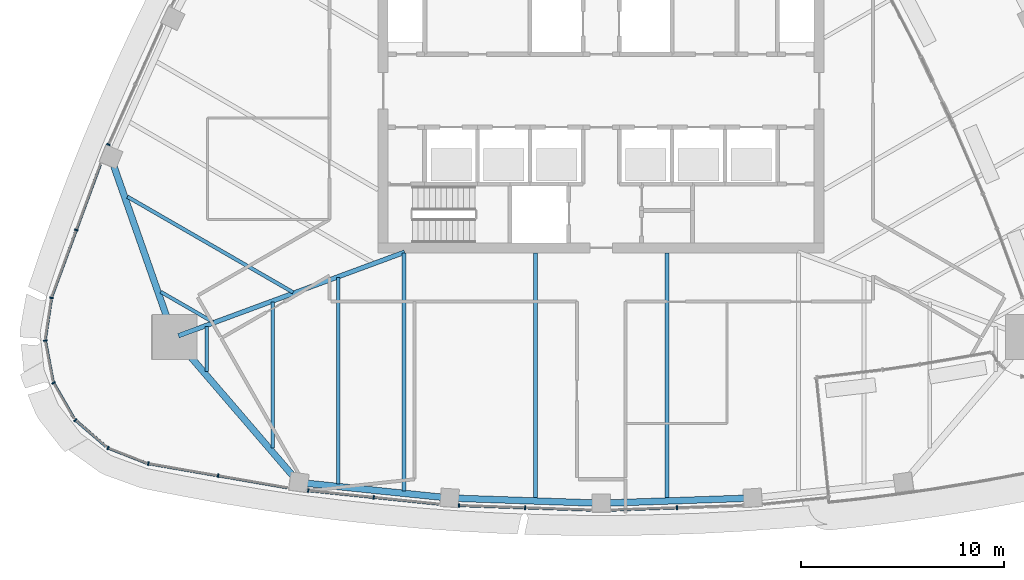
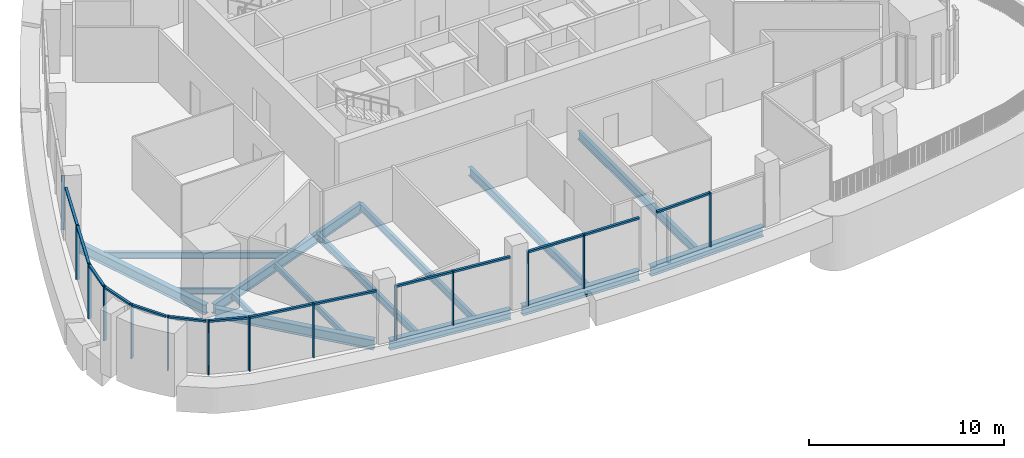
# One storey, part 2 of 20: 28 members, 14 beams, 11 elements without a shape of their own.
"""IFC4 building model written with IfcOpenShell, lengths in metres."""

import ifcopenshell
import ifcopenshell.guid

model = None  # the IFC model being written
_history = None  # IfcOwnerHistory: only IFC2X3 demands one
_inside = {}  # id of a spatial element -> (the spatial element, [elements in it])
_under = {}  # id of a project, library or spatial element -> (it, [spatial elements below it])
_declared = {}  # id of a project -> (the project, [libraries it declares])
_typed = {}  # id of a type object -> (the type object, [elements of that type])
_made_of = {}  # id of a material, layer set ... -> (it, [elements and type objects made of it])


def new_model(schema):
    """Start an empty IFC model of exactly this schema.

    Asked for "IFC4X3", IfcOpenShell would pick the latest addendum, in which some entities
    have other attributes; the version numbers below select the first issue.
    IFC2X3 requires an IfcOwnerHistory on every rooted entity: one is made here for all.
    """
    global model, _history
    if schema == "IFC4X3":
        model = ifcopenshell.file(schema_version=(4, 3, 0, 0))
    else:
        model = ifcopenshell.file(schema=schema)
    _inside.clear()
    _under.clear()
    _declared.clear()
    _typed.clear()
    _made_of.clear()
    _history = None
    if model.schema == "IFC2X3":
        org = make("IfcOrganization", Name="unknown")
        user = make(
            "IfcPersonAndOrganization",
            ThePerson=make("IfcPerson", FamilyName="unknown"),
            TheOrganization=org,
        )
        app = make(
            "IfcApplication",
            ApplicationDeveloper=org,
            Version="unknown",
            ApplicationFullName="unknown",
            ApplicationIdentifier="unknown",
        )
        _history = make(
            "IfcOwnerHistory",
            OwningUser=user,
            OwningApplication=app,
            ChangeAction="ADDED",
            CreationDate=0,
        )
    return model


def make(cls, **values):
    """One entity of the class cls with the attributes given. An attribute that is None is left unset."""
    return model.create_entity(
        cls, **{name: value for name, value in values.items() if value is not None}
    )


def rooted(cls, **values):
    """An entity with a GlobalId (a new one), such as an element, a storey or a relation."""
    return make(cls, GlobalId=ifcopenshell.guid.new(), OwnerHistory=_history, **values)


def si_unit(unit_type, name, prefix=None):
    """IfcSIUnit, for example si_unit("LENGTHUNIT", "METRE", prefix="MILLI")."""
    return make("IfcSIUnit", UnitType=unit_type, Prefix=prefix, Name=name)


def assignment(units):
    """IfcUnitAssignment: the units of a project."""
    return None if units is None else make("IfcUnitAssignment", Units=units)


def point(xyz):
    """IfcCartesianPoint."""
    return None if xyz is None else make("IfcCartesianPoint", Coordinates=xyz)


def direction(xyz):
    """IfcDirection."""
    return None if xyz is None else make("IfcDirection", DirectionRatios=xyz)


def frame(location, z_axis=None, x_axis=None):
    """IfcAxis2Placement3D, a coordinate frame: its origin and axes. An axis left out is left unset."""
    return make(
        "IfcAxis2Placement3D",
        Location=point(location),
        Axis=direction(z_axis),
        RefDirection=direction(x_axis),
    )


def frame_2d(location, x_axis=None):
    """IfcAxis2Placement2D, a coordinate frame in the plane: its origin and x axis."""
    return make(
        "IfcAxis2Placement2D", Location=point(location), RefDirection=direction(x_axis)
    )


def origin():
    """The frame at (0, 0, 0) with its axes left unset."""
    return frame((0.0, 0.0, 0.0))


def origin_2d():
    """The frame at (0, 0) in the plane with its x axis left unset."""
    return frame_2d((0.0, 0.0))


def place(relative_to, where):
    """IfcLocalPlacement: puts the frame where relative to a parent placement (None: the world)."""
    return make(
        "IfcLocalPlacement", PlacementRelTo=relative_to, RelativePlacement=where
    )


def context(
    kind, dimensions, precision=None, world=None, true_north=None, identifier=None
):
    """IfcGeometricRepresentationContext, for example the 3D "Model" context."""
    return make(
        "IfcGeometricRepresentationContext",
        ContextIdentifier=identifier,
        ContextType=kind,
        CoordinateSpaceDimension=dimensions,
        Precision=precision,
        WorldCoordinateSystem=world,
        TrueNorth=true_north,
    )


def subcontext(parent, identifier, kind, view, scale=None):
    """IfcGeometricRepresentationSubContext, for example "Body" below "Model"."""
    return make(
        "IfcGeometricRepresentationSubContext",
        ContextIdentifier=identifier,
        ContextType=kind,
        ParentContext=parent,
        TargetScale=scale,
        TargetView=view,
    )


def project(units=None, contexts=None):
    """IfcProject with its units and contexts."""
    return rooted(
        "IfcProject",
        Name="project",
        RepresentationContexts=contexts,
        UnitsInContext=assignment(units),
    )


def spatial(cls, under=None, at=None, **own):
    """A site, building, storey or space (cls), placed at a placement, below another one or the project."""
    s = rooted(cls, ObjectPlacement=at, **own)
    if under is not None:
        _under.setdefault(under.id(), (under, []))[1].append(s)
    return s


def profile(cls, at=None, kind="AREA", **sizes):
    """A parametric profile (cls). Its sizes go by their IFC names, for example OverallWidth=200.0."""
    return make(cls, ProfileType=kind, Position=at, **sizes)


def rectangle(**sizes):
    """IfcRectangleProfileDef."""
    return profile("IfcRectangleProfileDef", **sizes)


def i_section(**sizes):
    """IfcIShapeProfileDef."""
    return profile("IfcIShapeProfileDef", **sizes)


def extrude(swept, where, along, depth):
    """IfcExtrudedAreaSolid: the profile swept, set in the frame where, extruded along a direction by depth."""
    return make(
        "IfcExtrudedAreaSolid",
        SweptArea=swept,
        Position=where,
        ExtrudedDirection=direction(along),
        Depth=depth,
    )


def shape(context_of_items, identifier, shape_type, items):
    """IfcShapeRepresentation: the items that make up one representation, for example the "Body"."""
    return make(
        "IfcShapeRepresentation",
        ContextOfItems=context_of_items,
        RepresentationIdentifier=identifier,
        RepresentationType=shape_type,
        Items=items,
    )


def material(Name=None, Category=None):
    """IfcMaterial."""
    return make("IfcMaterial", Name=Name, Category=Category)


def layer(
    of_material, thickness, ventilated=None, Name=None, Category=None, Priority=None
):
    """IfcMaterialLayer: one layer of a wall or slab, of a material (None: an air gap)."""
    return make(
        "IfcMaterialLayer",
        Material=of_material,
        LayerThickness=thickness,
        IsVentilated=ventilated,
        Name=Name,
        Category=Category,
        Priority=Priority,
    )


def layer_set(layers, Name=None):
    """IfcMaterialLayerSet."""
    return make("IfcMaterialLayerSet", MaterialLayers=layers, LayerSetName=Name)


def material_profile(
    of_material, cross_section, Name=None, Category=None, Priority=None
):
    """IfcMaterialProfile: a cross section and its material."""
    return make(
        "IfcMaterialProfile",
        Name=Name,
        Material=of_material,
        Profile=cross_section,
        Priority=Priority,
        Category=Category,
    )


def profile_set(profiles, Name=None, composite=None):
    """IfcMaterialProfileSet."""
    return make(
        "IfcMaterialProfileSet",
        Name=Name,
        MaterialProfiles=profiles,
        CompositeProfile=composite,
    )


def made_of(thing, what):
    """Note that an element or type object is made of a material, layer set ...; save() writes the relation."""
    if what is not None:
        _made_of.setdefault(what.id(), (what, []))[1].append(thing)
    return thing


def type_object(cls, material=None, **own):
    """A type object (cls), such as IfcWallType, which elements share."""
    return made_of(rooted(cls, **own), material)


def element(
    cls,
    number,
    at=None,
    inside=None,
    cuts=None,
    type_object=None,
    material=None,
    context=None,
    identifier="Body",
    shape_type=None,
    held_by="IfcProductDefinitionShape",
    body=None,
    shapes=None,
    **own,
):
    """One element of the class cls, such as IfcWall. Its Tag is "e" and its number.

    at: its placement. inside: the storey or other place that contains it. cuts: it is an
    opening in that element (IfcRelVoidsElement). A single representation is given by context,
    identifier, shape_type and body (its items); several are given by shapes. held_by: the class
    of the entity that holds the representations. save() writes the other relations.
    """
    e = rooted(cls, Tag="e%d" % number, ObjectPlacement=at, **own)
    if body is not None:
        shapes = [shape(context, identifier, shape_type, body)]
    if shapes is not None:
        e.Representation = make(held_by, Representations=shapes)
    if inside is not None:
        _inside.setdefault(inside.id(), (inside, []))[1].append(e)
    if cuts is not None:
        rooted(
            "IfcRelVoidsElement", RelatingBuildingElement=cuts, RelatedOpeningElement=e
        )
    if type_object is not None:
        _typed.setdefault(type_object.id(), (type_object, []))[1].append(e)
    return made_of(e, material)


def aggregate(whole, parts):
    """IfcRelAggregates: a whole, such as a stair, and the parts it consists of."""
    return rooted("IfcRelAggregates", RelatingObject=whole, RelatedObjects=parts)


def save(model, path):
    """Write the relations noted so far, then the file.

    IfcRelAggregates (storeys below a building ...), IfcRelContainedInSpatialStructure (elements
    in a storey), IfcRelDefinesByType, IfcRelAssociatesMaterial and IfcRelDeclares: one each for
    every whole, place, type object, material and project.
    """
    for whole, parts in _under.values():
        aggregate(whole, parts)
    for where, things in _inside.values():
        rooted(
            "IfcRelContainedInSpatialStructure",
            RelatedElements=things,
            RelatingStructure=where,
        )
    for kind, things in _typed.values():
        rooted("IfcRelDefinesByType", RelatedObjects=things, RelatingType=kind)
    for what, things in _made_of.values():
        rooted("IfcRelAssociatesMaterial", RelatedObjects=things, RelatingMaterial=what)
    for by, libraries in _declared.values():
        rooted("IfcRelDeclares", RelatingContext=by, RelatedDefinitions=libraries)
    model.write(path)


model = new_model("IFC4")

# Units and contexts
model_context = context("Model", 3, precision=1e-05, world=origin(), true_north=direction((0.0, 1.0)))
body_context = subcontext(model_context, "Body", "Model", "MODEL_VIEW")
ifc_project = project(units=[si_unit("LENGTHUNIT", "METRE"), si_unit("AREAUNIT", "SQUARE_METRE"), si_unit("VOLUMEUNIT", "CUBIC_METRE"), si_unit("PLANEANGLEUNIT", "RADIAN"), si_unit("MASSUNIT", "GRAM", prefix="KILO")], contexts=[model_context])

# Site, building, storey
site_placement = place(None, origin())
site = spatial("IfcSite", under=ifc_project, at=site_placement, CompositionType="ELEMENT")
building_placement = place(site_placement, origin())
building = spatial("IfcBuilding", under=site, at=building_placement, Name="Sierra Prisma Convention Tower", CompositionType="ELEMENT")
storey_placement = place(building_placement, frame((0.0, 0.0, 275.0)))
storey = spatial("IfcBuildingStorey", under=building, at=storey_placement, Name="L62", CompositionType="ELEMENT", Elevation=275.0)

# Curtain wall, member
ifc_material_1 = material(Name="Aluminium and glass curtain wall", Category="aluminium")
ifc_layer = layer(ifc_material_1, 0.179931640625)
ifc_layer_set = layer_set([ifc_layer], Name="CW-1 Plain shaft curtain wall")
curtain_wall_type = type_object("IfcCurtainWallType", Name="CW-1 Plain shaft curtain wall", PredefinedType="NOTDEFINED", material=ifc_layer_set)
curtain_wall_1_placement = place(storey_placement, origin())
curtain_wall_1 = element("IfcCurtainWall", 1, at=curtain_wall_1_placement, inside=storey, type_object=curtain_wall_type, Name="CW-1 NW5 L62", PredefinedType="NOTDEFINED")
ifc_material_2 = material(Name="Aluminium 6063-T6 bronze anodised", Category="aluminium")
ifc_material_profile_1 = material_profile(ifc_material_2, rectangle(XDim=0.179931640625, YDim=0.070068359375, at=origin_2d()), Name="ALU MULLION 70x180")
ifc_profile_set_1 = profile_set([ifc_material_profile_1], Name="Aluminium 6063-T6 bronze anodised")
member_type_1 = type_object("IfcMemberType", Name="CW mullion bronze", PredefinedType="MULLION", material=ifc_profile_set_1)
member_1_placement = place(storey_placement, frame((-24.295166015625, -2.650390625, 0.0), z_axis=(0.0, 0.0, 1.0), x_axis=(0.912836697078, -0.408324827151, 0.0)))
member_1 = element("IfcMember", 2, at=member_1_placement, type_object=member_type_1, Name="CW-1 mullion NW5.3", PredefinedType="MULLION", context=body_context, shape_type="SweptSolid", body=[
    extrude(rectangle(XDim=0.179931640625, YDim=0.070068359375, at=origin_2d()), origin(), (0.0, 0.0, 1.0), 3.39990234375),
])
aggregate(curtain_wall_1, [member_1])

curtain_wall_2_placement = place(storey_placement, origin())
curtain_wall_2 = element("IfcCurtainWall", 3, at=curtain_wall_2_placement, inside=storey, type_object=curtain_wall_type, Name="CW-1 NW6 L62", PredefinedType="NOTDEFINED")
member_2_placement = place(storey_placement, frame((-25.882568359375, -6.86767578125, 0.0), z_axis=(0.0, 0.0, 1.0), x_axis=(0.938697296082, -0.34474249278, 0.0)))
member_2 = element("IfcMember", 4, at=member_2_placement, type_object=member_type_1, Name="CW-1 mullion NW6.2", PredefinedType="MULLION", context=body_context, shape_type="SweptSolid", body=[
    extrude(rectangle(XDim=0.179931640625, YDim=0.070068359375, at=origin_2d()), origin(), (0.0, 0.0, 1.0), 3.39990234375),
])

curtain_wall_3_placement = place(storey_placement, origin())
curtain_wall_3 = element("IfcCurtainWall", 5, at=curtain_wall_3_placement, inside=storey, type_object=curtain_wall_type, Name="CW-1 SW1 L62", PredefinedType="NOTDEFINED")
member_3_placement = place(storey_placement, frame((-27.104248046875, -10.214111328125, 0.0), z_axis=(0.0, 0.0, 1.0), x_axis=(0.988862005071, -0.148835261033, 0.0)))
member_3 = element("IfcMember", 6, at=member_3_placement, type_object=member_type_1, Name="CW-1 mullion SW1.1", PredefinedType="MULLION", context=body_context, shape_type="SweptSolid", body=[
    extrude(rectangle(XDim=0.179931640625, YDim=0.070068359375, at=origin_2d()), origin(), (0.0, 0.0, 1.0), 3.39990234375),
])

curtain_wall_4_placement = place(storey_placement, origin())
curtain_wall_4 = element("IfcCurtainWall", 7, at=curtain_wall_4_placement, inside=storey, type_object=curtain_wall_type, Name="CW-1 SW2 L62", PredefinedType="NOTDEFINED")
member_4_placement = place(storey_placement, frame((-27.408935546875, -12.31689453125, 0.0), z_axis=(0.0, 0.0, 1.0), x_axis=(0.982547008481, 0.186014451385, 0.0)))
member_4 = element("IfcMember", 8, at=member_4_placement, type_object=member_type_1, Name="CW-1 mullion SW2.1", PredefinedType="MULLION", context=body_context, shape_type="SweptSolid", body=[
    extrude(rectangle(XDim=0.179931640625, YDim=0.070068359375, at=origin_2d()), origin(), (0.0, 0.0, 1.0), 3.39990234375),
])

curtain_wall_5_placement = place(storey_placement, origin())
curtain_wall_5 = element("IfcCurtainWall", 9, at=curtain_wall_5_placement, inside=storey, type_object=curtain_wall_type, Name="CW-1 SW3 L62", PredefinedType="NOTDEFINED")
member_5_placement = place(storey_placement, frame((-27.00244140625, -14.40234375, 0.0), z_axis=(0.0, 0.0, 1.0), x_axis=(0.866025403784, 0.5, 0.0)))
member_5 = element("IfcMember", 10, at=member_5_placement, type_object=member_type_1, Name="CW-1 mullion SW3.1", PredefinedType="MULLION", context=body_context, shape_type="SweptSolid", body=[
    extrude(rectangle(XDim=0.179931640625, YDim=0.070068359375, at=origin_2d()), origin(), (0.0, 0.0, 1.0), 3.39990234375),
])

curtain_wall_6_placement = place(storey_placement, origin())
curtain_wall_6 = element("IfcCurtainWall", 11, at=curtain_wall_6_placement, inside=storey, type_object=curtain_wall_type, Name="CW-1 SW4 L62", PredefinedType="NOTDEFINED")
member_6_placement = place(storey_placement, frame((-25.93017578125, -16.23681640625, 0.0), z_axis=(0.0, 0.0, 1.0), x_axis=(0.652366744611, 0.757903444065, 0.0)))
member_6 = element("IfcMember", 12, at=member_6_placement, type_object=member_type_1, Name="CW-1 mullion SW4.1", PredefinedType="MULLION", context=body_context, shape_type="SweptSolid", body=[
    extrude(rectangle(XDim=0.179931640625, YDim=0.070068359375, at=origin_2d()), origin(), (0.0, 0.0, 1.0), 3.39990234375),
])

curtain_wall_7_placement = place(storey_placement, origin())
curtain_wall_7 = element("IfcCurtainWall", 13, at=curtain_wall_7_placement, inside=storey, type_object=curtain_wall_type, Name="CW-1 SW5 L62", PredefinedType="NOTDEFINED")
member_7_placement = place(storey_placement, frame((-24.312255859375, -17.614013671875, 0.0), z_axis=(0.0, 0.0, 1.0), x_axis=(0.365535885502, 0.930797247745, 0.0)))
member_7 = element("IfcMember", 14, at=member_7_placement, type_object=member_type_1, Name="CW-1 mullion SW5.1", PredefinedType="MULLION", context=body_context, shape_type="SweptSolid", body=[
    extrude(rectangle(XDim=0.179931640625, YDim=0.070068359375, at=origin_2d()), origin(), (0.0, 0.0, 1.0), 3.39990234375),
])

# Curtain wall, members
curtain_wall_8_placement = place(storey_placement, origin())
curtain_wall_8 = element("IfcCurtainWall", 15, at=curtain_wall_8_placement, inside=storey, type_object=curtain_wall_type, Name="CW-1 S1 L62", PredefinedType="NOTDEFINED")
member_8_placement = place(storey_placement, frame((-22.330810546875, -18.384521484375, 0.0), z_axis=(0.0, 0.0, 1.0), x_axis=(0.17079289153, 0.985306951261, 0.0)))
member_8 = element("IfcMember", 16, at=member_8_placement, type_object=member_type_1, Name="CW-1 mullion S1.1", PredefinedType="MULLION", context=body_context, shape_type="SweptSolid", body=[
    extrude(rectangle(XDim=0.179931640625, YDim=0.070068359375, at=origin_2d()), origin(), (0.0, 0.0, 1.0), 3.39990234375),
])
member_9_placement = place(storey_placement, frame((-18.888916015625, -18.981201171875, 0.0), z_axis=(0.0, 0.0, 1.0), x_axis=(0.17079289153, 0.985306951261, 0.0)))
member_9 = element("IfcMember", 17, at=member_9_placement, type_object=member_type_1, Name="CW-1 mullion S1.2", PredefinedType="MULLION", context=body_context, shape_type="SweptSolid", body=[
    extrude(rectangle(XDim=0.179931640625, YDim=0.070068359375, at=origin_2d()), origin(), (0.0, 0.0, 1.0), 3.39990234375),
])

curtain_wall_9_placement = place(storey_placement, origin())
curtain_wall_9 = element("IfcCurtainWall", 18, at=curtain_wall_9_placement, inside=storey, type_object=curtain_wall_type, Name="CW-1 S2 L62", PredefinedType="NOTDEFINED")
member_10_placement = place(storey_placement, frame((-14.44287109375, -19.715087890625, 0.0), z_axis=(0.0, 0.0, 1.0), x_axis=(0.102798675231, 0.994702182752, 0.0)))
member_10 = element("IfcMember", 19, at=member_10_placement, type_object=member_type_1, Name="CW-1 mullion S2.1", PredefinedType="MULLION", context=body_context, shape_type="SweptSolid", body=[
    extrude(rectangle(XDim=0.179931640625, YDim=0.070068359375, at=origin_2d()), origin(), (0.0, 0.0, 1.0), 3.39990234375),
])
member_11_placement = place(storey_placement, frame((-11.2138671875, -20.048828125, 0.0), z_axis=(0.0, 0.0, 1.0), x_axis=(0.102798675231, 0.994702182752, 0.0)))
member_11 = element("IfcMember", 20, at=member_11_placement, type_object=member_type_1, Name="CW-1 mullion S2.2", PredefinedType="MULLION", context=body_context, shape_type="SweptSolid", body=[
    extrude(rectangle(XDim=0.179931640625, YDim=0.070068359375, at=origin_2d()), origin(), (0.0, 0.0, 1.0), 3.39990234375),
])

curtain_wall_10_placement = place(storey_placement, origin())
curtain_wall_10 = element("IfcCurtainWall", 21, at=curtain_wall_10_placement, inside=storey, type_object=curtain_wall_type, Name="CW-1 S3 L62", PredefinedType="NOTDEFINED")
member_12_placement = place(storey_placement, frame((-7.00537109375, -20.449462890625, 0.0), z_axis=(0.0, 0.0, 1.0), x_axis=(0.034320124653, 0.999410890997, 0.0)))
member_12 = element("IfcMember", 22, at=member_12_placement, type_object=member_type_1, Name="CW-1 mullion S3.1", PredefinedType="MULLION", context=body_context, shape_type="SweptSolid", body=[
    extrude(rectangle(XDim=0.179931640625, YDim=0.070068359375, at=origin_2d()), origin(), (0.0, 0.0, 1.0), 3.39990234375),
])
member_13_placement = place(storey_placement, frame((-3.7451171875, -20.561279296875, 0.0), z_axis=(0.0, 0.0, 1.0), x_axis=(0.034320124653, 0.999410890997, 0.0)))
member_13 = element("IfcMember", 23, at=member_13_placement, type_object=member_type_1, Name="CW-1 mullion S3.2", PredefinedType="MULLION", context=body_context, shape_type="SweptSolid", body=[
    extrude(rectangle(XDim=0.179931640625, YDim=0.070068359375, at=origin_2d()), origin(), (0.0, 0.0, 1.0), 3.39990234375),
])

# Curtain wall, member
curtain_wall_11_placement = place(storey_placement, origin())
curtain_wall_11 = element("IfcCurtainWall", 24, at=curtain_wall_11_placement, inside=storey, type_object=curtain_wall_type, Name="CW-1 S4 L62", PredefinedType="NOTDEFINED")
member_14_placement = place(storey_placement, frame((3.7451171875, -20.561279296875, 0.0), z_axis=(0.0, 0.0, 1.0), x_axis=(-0.034320124653, 0.999410890997, 0.0)))
member_14 = element("IfcMember", 25, at=member_14_placement, type_object=member_type_1, Name="CW-1 mullion S4.2", PredefinedType="MULLION", context=body_context, shape_type="SweptSolid", body=[
    extrude(rectangle(XDim=0.179931640625, YDim=0.070068359375, at=origin_2d()), origin(), (0.0, 0.0, 1.0), 3.39990234375),
])

# Member
ifc_material_3 = material(Name="Aluminium 6063-T6 bronze anodised", Category="aluminium")
ifc_material_profile_2 = material_profile(ifc_material_3, rectangle(XDim=0.139892578125, YDim=0.1201171875, at=origin_2d()), Name="ALU TRANSOM 120x140")
ifc_profile_set_2 = profile_set([ifc_material_profile_2], Name="Aluminium 6063-T6 bronze anodised")
member_type_2 = type_object("IfcMemberType", Name="CW transom bronze", PredefinedType="USERDEFINED", material=ifc_profile_set_2)
member_15_placement = place(storey_placement, frame((-24.6904296875, -3.621337890625, 3.340087890625), z_axis=(-0.344753340709, -0.938693312041, 0.0), x_axis=(0.938693312041, -0.344753340709, 0.0)))
member_15 = element("IfcMember", 26, at=member_15_placement, type_object=member_type_2, Name="CW-1 transom NW6.1", ObjectType="TRANSOM", PredefinedType="USERDEFINED", context=body_context, shape_type="SweptSolid", body=[
    extrude(rectangle(XDim=0.139892578125, YDim=0.1201171875, at=origin_2d()), origin(), (0.0, 0.0, 1.0), 3.42333984375),
])

member_16_placement = place(storey_placement, frame((-25.894775390625, -6.900390625, 3.340087890625), z_axis=(-0.344753340709, -0.938693312041, 0.0), x_axis=(0.938693312041, -0.344753340709, 0.0)))
member_16 = element("IfcMember", 27, at=member_16_placement, type_object=member_type_2, Name="CW-1 transom NW6.2", ObjectType="TRANSOM", PredefinedType="USERDEFINED", context=body_context, shape_type="SweptSolid", body=[
    extrude(rectangle(XDim=0.139892578125, YDim=0.1201171875, at=origin_2d()), origin(), (0.0, 0.0, 1.0), 3.42333984375),
])

aggregate(curtain_wall_2, [member_2, member_15, member_16])

member_17_placement = place(storey_placement, frame((-27.109375, -10.248779296875, 3.340087890625), z_axis=(-0.148815155039, -0.988865031049, 0.0), x_axis=(0.988865031049, -0.148815155039, 0.0)))
member_17 = element("IfcMember", 28, at=member_17_placement, type_object=member_type_2, Name="CW-1 transom SW1.1", ObjectType="TRANSOM", PredefinedType="USERDEFINED", context=body_context, shape_type="SweptSolid", body=[
    extrude(rectangle(XDim=0.139892578125, YDim=0.1201171875, at=origin_2d()), origin(), (0.0, 0.0, 1.0), 1.98681640625),
])

aggregate(curtain_wall_3, [member_3, member_17])

member_18_placement = place(storey_placement, frame((-27.402587890625, -12.351318359375, 3.340087890625), z_axis=(0.186039155751, -0.982542331163, 0.0), x_axis=(0.982542331163, 0.186039155751, 0.0)))
member_18 = element("IfcMember", 29, at=member_18_placement, type_object=member_type_2, Name="CW-1 transom SW2.1", ObjectType="TRANSOM", PredefinedType="USERDEFINED", context=body_context, shape_type="SweptSolid", body=[
    extrude(rectangle(XDim=0.139892578125, YDim=0.1201171875, at=origin_2d()), origin(), (0.0, 0.0, 1.0), 1.98681640625),
])

aggregate(curtain_wall_4, [member_4, member_18])

member_19_placement = place(storey_placement, frame((-26.98486328125, -14.432861328125, 3.340087890625), z_axis=(0.499945861543, -0.866056658381, 0.0), x_axis=(0.866056658381, 0.499945861543, 0.0)))
member_19 = element("IfcMember", 30, at=member_19_placement, type_object=member_type_2, Name="CW-1 transom SW3.1", ObjectType="TRANSOM", PredefinedType="USERDEFINED", context=body_context, shape_type="SweptSolid", body=[
    extrude(rectangle(XDim=0.139892578125, YDim=0.1201171875, at=origin_2d()), origin(), (0.0, 0.0, 1.0), 1.986572265625),
])

aggregate(curtain_wall_5, [member_5, member_19])

member_20_placement = place(storey_placement, frame((-25.903564453125, -16.259521484375, 3.340087890625), z_axis=(0.757858253409, -0.652419242313, 0.0), x_axis=(0.652419242313, 0.757858253409, 0.0)))
member_20 = element("IfcMember", 31, at=member_20_placement, type_object=member_type_2, Name="CW-1 transom SW4.1", ObjectType="TRANSOM", PredefinedType="USERDEFINED", context=body_context, shape_type="SweptSolid", body=[
    extrude(rectangle(XDim=0.139892578125, YDim=0.1201171875, at=origin_2d()), origin(), (0.0, 0.0, 1.0), 1.986572265625),
])

aggregate(curtain_wall_6, [member_6, member_20])

member_21_placement = place(storey_placement, frame((-24.279541015625, -17.626953125, 3.340087890625), z_axis=(0.930814217803, -0.365492670154, 0.0), x_axis=(0.365492670154, 0.930814217803, 0.0)))
member_21 = element("IfcMember", 32, at=member_21_placement, type_object=member_type_2, Name="CW-1 transom SW5.1", ObjectType="TRANSOM", PredefinedType="USERDEFINED", context=body_context, shape_type="SweptSolid", body=[
    extrude(rectangle(XDim=0.139892578125, YDim=0.1201171875, at=origin_2d()), origin(), (0.0, 0.0, 1.0), 1.986572265625),
])

aggregate(curtain_wall_7, [member_7, member_21])

member_22_placement = place(storey_placement, frame((-22.29638671875, -18.390625, 3.340087890625), z_axis=(0.985305300066, -0.170802417028, 0.0), x_axis=(0.170802417028, 0.985305300066, 0.0)))
member_22 = element("IfcMember", 33, at=member_22_placement, type_object=member_type_2, Name="CW-1 transom S1.1", ObjectType="TRANSOM", PredefinedType="USERDEFINED", context=body_context, shape_type="SweptSolid", body=[
    extrude(rectangle(XDim=0.139892578125, YDim=0.1201171875, at=origin_2d()), origin(), (0.0, 0.0, 1.0), 3.42333984375),
])

member_23_placement = place(storey_placement, frame((-18.854248046875, -18.9873046875, 3.340087890625), z_axis=(0.985315220671, -0.170745178305, 0.0), x_axis=(0.170745178305, 0.985315220671, 0.0)))
member_23 = element("IfcMember", 34, at=member_23_placement, type_object=member_type_2, Name="CW-1 transom S1.2", ObjectType="TRANSOM", PredefinedType="USERDEFINED", context=body_context, shape_type="SweptSolid", body=[
    extrude(rectangle(XDim=0.139892578125, YDim=0.1201171875, at=origin_2d()), origin(), (0.0, 0.0, 1.0), 3.423095703125),
])

aggregate(curtain_wall_8, [member_8, member_9, member_22, member_23])

member_24_placement = place(storey_placement, frame((-14.408203125, -19.71875, 3.340087890625), z_axis=(0.994706161228, -0.102760171346, 0.0), x_axis=(0.102760171346, 0.994706161228, 0.0)))
member_24 = element("IfcMember", 35, at=member_24_placement, type_object=member_type_2, Name="CW-1 transom S2.1", ObjectType="TRANSOM", PredefinedType="USERDEFINED", context=body_context, shape_type="SweptSolid", body=[
    extrude(rectangle(XDim=0.139892578125, YDim=0.1201171875, at=origin_2d()), origin(), (0.0, 0.0, 1.0), 3.176513671875),
])

member_25_placement = place(storey_placement, frame((-11.178955078125, -20.052490234375, 3.340087890625), z_axis=(0.994705349533, -0.102768028153, 0.0), x_axis=(0.102768028153, 0.994705349533, 0.0)))
member_25 = element("IfcMember", 36, at=member_25_placement, type_object=member_type_2, Name="CW-1 transom S2.2", ObjectType="TRANSOM", PredefinedType="USERDEFINED", context=body_context, shape_type="SweptSolid", body=[
    extrude(rectangle(XDim=0.139892578125, YDim=0.1201171875, at=origin_2d()), origin(), (0.0, 0.0, 1.0), 3.17626953125),
])

aggregate(curtain_wall_9, [member_10, member_11, member_24, member_25])

member_26_placement = place(storey_placement, frame((-6.97021484375, -20.45068359375, 3.340087890625), z_axis=(0.999410170442, -0.034341100982, 0.0), x_axis=(0.034341100982, 0.999410170442, 0.0)))
member_26 = element("IfcMember", 37, at=member_26_placement, type_object=member_type_2, Name="CW-1 transom S3.1", ObjectType="TRANSOM", PredefinedType="USERDEFINED", context=body_context, shape_type="SweptSolid", body=[
    extrude(rectangle(XDim=0.139892578125, YDim=0.1201171875, at=origin_2d()), origin(), (0.0, 0.0, 1.0), 3.192138671875),
])

member_27_placement = place(storey_placement, frame((-3.7099609375, -20.5625, 3.340087890625), z_axis=(0.999410170442, -0.034341100982, 0.0), x_axis=(0.034341100982, 0.999410170442, 0.0)))
member_27 = element("IfcMember", 38, at=member_27_placement, type_object=member_type_2, Name="CW-1 transom S3.2", ObjectType="TRANSOM", PredefinedType="USERDEFINED", context=body_context, shape_type="SweptSolid", body=[
    extrude(rectangle(XDim=0.139892578125, YDim=0.1201171875, at=origin_2d()), origin(), (0.0, 0.0, 1.0), 3.192138671875),
])

aggregate(curtain_wall_10, [member_12, member_13, member_26, member_27])

member_28_placement = place(storey_placement, frame((0.519775390625, -20.672119140625, 3.340087890625), z_axis=(0.999410170442, 0.034341100982, 0.0), x_axis=(-0.034341100982, 0.999410170442, 0.0)))
member_28 = element("IfcMember", 39, at=member_28_placement, type_object=member_type_2, Name="CW-1 transom S4.1", ObjectType="TRANSOM", PredefinedType="USERDEFINED", context=body_context, shape_type="SweptSolid", body=[
    extrude(rectangle(XDim=0.139892578125, YDim=0.1201171875, at=origin_2d()), origin(), (0.0, 0.0, 1.0), 3.192138671875),
])

aggregate(curtain_wall_11, [member_14, member_28])

# Beams
ifc_material_4 = material(Name="Steel ASTM A992 Gr 50", Category="steel")
ifc_material_profile_3 = material_profile(ifc_material_4, i_section(OverallWidth=0.172119140625, OverallDepth=0.35791015625, WebThickness=0.0078125, FlangeThickness=0.01318359375, at=origin_2d()), Name="W360x57")
ifc_profile_set_3 = profile_set([ifc_material_profile_3], Name="Steel ASTM A992 Gr 50")
beam_type_1 = type_object("IfcBeamType", Name="Floor joist W360x57", PredefinedType="JOIST", material=ifc_profile_set_3)
beam_1_placement = place(storey_placement, frame((-19.446044921875, -13.84912109375, -0.3291015625), z_axis=(0.0, 1.0, 0.0), x_axis=(-1.0, 0.0, 0.0)))
element("IfcBeam", 40, at=beam_1_placement, inside=storey, type_object=beam_type_1, Name="Floor joist L62 S01", PredefinedType="JOIST", context=body_context, shape_type="SweptSolid", body=[
    extrude(i_section(OverallWidth=0.172119140625, OverallDepth=0.35791015625, WebThickness=0.0078125, FlangeThickness=0.01318359375, at=origin_2d()), origin(), (0.0, 0.0, 1.0), 2.236083984375),
])
beam_2_placement = place(storey_placement, frame((-16.205078125, -17.62060546875, -0.3291015625), z_axis=(0.0, 1.0, 0.0), x_axis=(-1.0, 0.0, 0.0)))
element("IfcBeam", 41, at=beam_2_placement, inside=storey, type_object=beam_type_1, Name="Floor joist L62 S02", PredefinedType="JOIST", context=body_context, shape_type="SweptSolid", body=[
    extrude(i_section(OverallWidth=0.172119140625, OverallDepth=0.35791015625, WebThickness=0.0078125, FlangeThickness=0.01318359375, at=origin_2d()), origin(), (0.0, 0.0, 1.0), 7.205078125),
])
beam_3_placement = place(storey_placement, frame((-21.716796875, -9.916259765625, -0.3291015625), z_axis=(0.866016014115, -0.500016263033, 0.0), x_axis=(0.500016263033, 0.866016014115, 0.0)))
element("IfcBeam", 42, at=beam_3_placement, inside=storey, type_object=beam_type_1, Name="Floor joist L62 NW13", PredefinedType="JOIST", context=body_context, shape_type="SweptSolid", body=[
    extrude(i_section(OverallWidth=0.172119140625, OverallDepth=0.35791015625, WebThickness=0.0078125, FlangeThickness=0.01318359375, at=origin_2d()), origin(), (0.0, 0.0, 1.0), 2.97314453125),
])
ifc_material_5 = material(Name="Steel ASTM A992 Gr 50", Category="steel")
ifc_material_profile_4 = material_profile(ifc_material_5, i_section(OverallWidth=0.177978515625, OverallDepth=0.406982421875, WebThickness=0.0078125, FlangeThickness=0.0126953125, at=origin_2d()), Name="W410x60")
ifc_profile_set_4 = profile_set([ifc_material_profile_4], Name="Steel ASTM A992 Gr 50")
beam_type_2 = type_object("IfcBeamType", Name="Floor joist W410x60", PredefinedType="JOIST", material=ifc_profile_set_4)
beam_4_placement = place(storey_placement, frame((-23.3623046875, -5.223876953125, -0.353515625), z_axis=(0.866023166229, -0.50000387554, 0.0), x_axis=(0.50000387554, 0.866023166229, 0.0)))
element("IfcBeam", 43, at=beam_4_placement, inside=storey, type_object=beam_type_2, Name="Floor joist L62 NW12", PredefinedType="JOIST", context=body_context, shape_type="SweptSolid", body=[
    extrude(i_section(OverallWidth=0.177978515625, OverallDepth=0.406982421875, WebThickness=0.0078125, FlangeThickness=0.0126953125, at=origin_2d()), origin(), (0.0, 0.0, 1.0), 9.43701171875),
])
ifc_material_6 = material(Name="Steel ASTM A992 Gr 50", Category="steel")
ifc_material_profile_5 = material_profile(ifc_material_6, i_section(OverallWidth=0.18994140625, OverallDepth=0.45703125, WebThickness=0.009033203125, FlangeThickness=0.014404296875, at=origin_2d()), Name="W460x74")
ifc_profile_set_5 = profile_set([ifc_material_profile_5], Name="Steel ASTM A992 Gr 50")
beam_type_3 = type_object("IfcBeamType", Name="Floor joist W460x74", PredefinedType="JOIST", material=ifc_profile_set_5)
beam_5_placement = place(storey_placement, frame((-12.964111328125, -19.40283203125, -0.37841796875), z_axis=(0.0, 1.0, 0.0), x_axis=(-1.0, 0.0, 0.0)))
element("IfcBeam", 44, at=beam_5_placement, inside=storey, type_object=beam_type_3, Name="Floor joist L62 S03", PredefinedType="JOIST", context=body_context, shape_type="SweptSolid", body=[
    extrude(i_section(OverallWidth=0.18994140625, OverallDepth=0.45703125, WebThickness=0.009033203125, FlangeThickness=0.014404296875, at=origin_2d()), origin(), (0.0, 0.0, 1.0), 10.184814453125),
])
beam_6_placement = place(storey_placement, frame((-9.72314453125, -19.73779296875, -0.37841796875), z_axis=(0.0, 1.0, 0.0), x_axis=(-1.0, 0.0, 0.0)))
element("IfcBeam", 45, at=beam_6_placement, inside=storey, type_object=beam_type_3, Name="Floor joist L62 S04", PredefinedType="JOIST", context=body_context, shape_type="SweptSolid", body=[
    extrude(i_section(OverallWidth=0.18994140625, OverallDepth=0.45703125, WebThickness=0.009033203125, FlangeThickness=0.014404296875, at=origin_2d()), origin(), (0.0, 0.0, 1.0), 11.73779296875),
])
ifc_material_7 = material(Name="Steel ASTM A992 Gr 50", Category="steel")
ifc_material_profile_6 = material_profile(ifc_material_7, i_section(OverallWidth=0.208984375, OverallDepth=0.532958984375, WebThickness=0.01025390625, FlangeThickness=0.015625, at=origin_2d()), Name="W530x92")
ifc_profile_set_6 = profile_set([ifc_material_profile_6], Name="Steel ASTM A992 Gr 50")
beam_type_4 = type_object("IfcBeamType", Name="Floor joist W530x92", PredefinedType="JOIST", material=ifc_profile_set_6)
for number, where, z_axis, x_axis, name in (
    (46, (-3.240966796875, -20.1162109375, -0.41650390625), (0.0, 1.0, 0.0), (-1.0, 0.0, 0.0), "Floor joist L62 S06"),
    (47, (3.240966796875, -20.1162109375, -0.41650390625), (0.0, 1.0, 0.0), (-1.0, 0.0, 0.0), "Floor joist L62 S08"),
):
    element("IfcBeam", number, at=place(storey_placement, frame(where, z_axis=z_axis, x_axis=x_axis)), inside=storey, type_object=beam_type_4, Name=name, PredefinedType="JOIST", context=body_context, shape_type="SweptSolid", body=[
        extrude(i_section(OverallWidth=0.208984375, OverallDepth=0.532958984375, WebThickness=0.01025390625, FlangeThickness=0.015625, at=origin_2d()), origin(), (0.0, 0.0, 1.0), 12.1162109375),
    ])
ifc_material_8 = material(Name="Steel ASTM A992 Gr 50", Category="steel")
ifc_material_profile_7 = material_profile(ifc_material_8, i_section(OverallWidth=0.22998046875, OverallDepth=0.616943359375, WebThickness=0.01318359375, FlangeThickness=0.022216796875, at=origin_2d()), Name="W610x140")
ifc_profile_set_7 = profile_set([ifc_material_profile_7], Name="Steel ASTM A992 Gr 50")
beam_type_5 = type_object("IfcBeamType", Name="Radial girder W610x140", PredefinedType="BEAM", material=ifc_profile_set_7)
beam_7_placement = place(storey_placement, frame((-20.8466796875, -12.08154296875, -0.45849609375), z_axis=(0.938021767637, 0.346576345757, 0.0), x_axis=(-0.346576345757, 0.938021767637, 0.0)))
element("IfcBeam", 48, at=beam_7_placement, inside=storey, type_object=beam_type_5, Name="Radial girder L62 SW", PredefinedType="BEAM", context=body_context, shape_type="SweptSolid", body=[
    extrude(i_section(OverallWidth=0.22998046875, OverallDepth=0.616943359375, WebThickness=0.01318359375, FlangeThickness=0.022216796875, at=origin_2d()), origin(), (0.0, 0.0, 1.0), 11.896484375),
])
ifc_material_9 = material(Name="Steel ASTM A992 Gr 50", Category="steel")
ifc_material_profile_8 = material_profile(ifc_material_9, i_section(OverallWidth=0.324951171875, OverallDepth=0.615966796875, WebThickness=0.013916015625, FlangeThickness=0.021484375, at=origin_2d()), Name="W610x174")
ifc_profile_set_8 = profile_set([ifc_material_profile_8], Name="Steel ASTM A992 Gr 50")
beam_type_6 = type_object("IfcBeamType", Name="Spandrel beam W610x174", PredefinedType="BEAM", material=ifc_profile_set_8)
beam_8_placement = place(storey_placement, frame((-20.877685546875, -12.3828125, -0.4580078125), z_axis=(0.651775359196, -0.758412078718, 0.0), x_axis=(0.758412078718, 0.651775359196, 0.0)))
element("IfcBeam", 49, at=beam_8_placement, inside=storey, type_object=beam_type_6, Name="Spandrel L62-01", PredefinedType="BEAM", context=body_context, shape_type="SweptSolid", body=[
    extrude(i_section(OverallWidth=0.324951171875, OverallDepth=0.615966796875, WebThickness=0.013916015625, FlangeThickness=0.021484375, at=origin_2d()), origin(), (0.0, 0.0, 1.0), 8.65869140625),
])
for number, where, z_axis, x_axis, name in (
    (50, (-14.592529296875, -19.347900390625, -0.4580078125), (0.994700379248, -0.102816124827, 0.0), (0.102816124827, 0.994700379248, 0.0), "Spandrel L62-02"),
    (51, (-7.148193359375, -20.094482421875, -0.4580078125), (0.99941091934, -0.034319299303, 0.0), (0.034319299303, 0.99941091934, 0.0), "Spandrel L62-03"),
    (52, (0.330078125, -20.32861328125, -0.4580078125), (0.99941091934, 0.034319299303, 0.0), (-0.034319299303, 0.99941091934, 0.0), "Spandrel L62-04"),
):
    element("IfcBeam", number, at=place(storey_placement, frame(where, z_axis=z_axis, x_axis=x_axis)), inside=storey, type_object=beam_type_6, Name=name, PredefinedType="BEAM", context=body_context, shape_type="SweptSolid", body=[
        extrude(i_section(OverallWidth=0.324951171875, OverallDepth=0.615966796875, WebThickness=0.013916015625, FlangeThickness=0.021484375, at=origin_2d()), origin(), (0.0, 0.0, 1.0), 6.822021484375),
    ])
beam_9_placement = place(storey_placement, frame((-24.028076171875, -3.71826171875, -0.4580078125), z_axis=(0.330929311043, -0.943655546846, 0.0), x_axis=(0.943655546846, 0.330929311043, 0.0)))
element("IfcBeam", 53, at=beam_9_placement, inside=storey, type_object=beam_type_6, Name="Spandrel L62-18", PredefinedType="BEAM", context=body_context, shape_type="SweptSolid", body=[
    extrude(i_section(OverallWidth=0.324951171875, OverallDepth=0.615966796875, WebThickness=0.013916015625, FlangeThickness=0.021484375, at=origin_2d()), origin(), (0.0, 0.0, 1.0), 8.715576171875),
])

save(model, "model.ifc")
